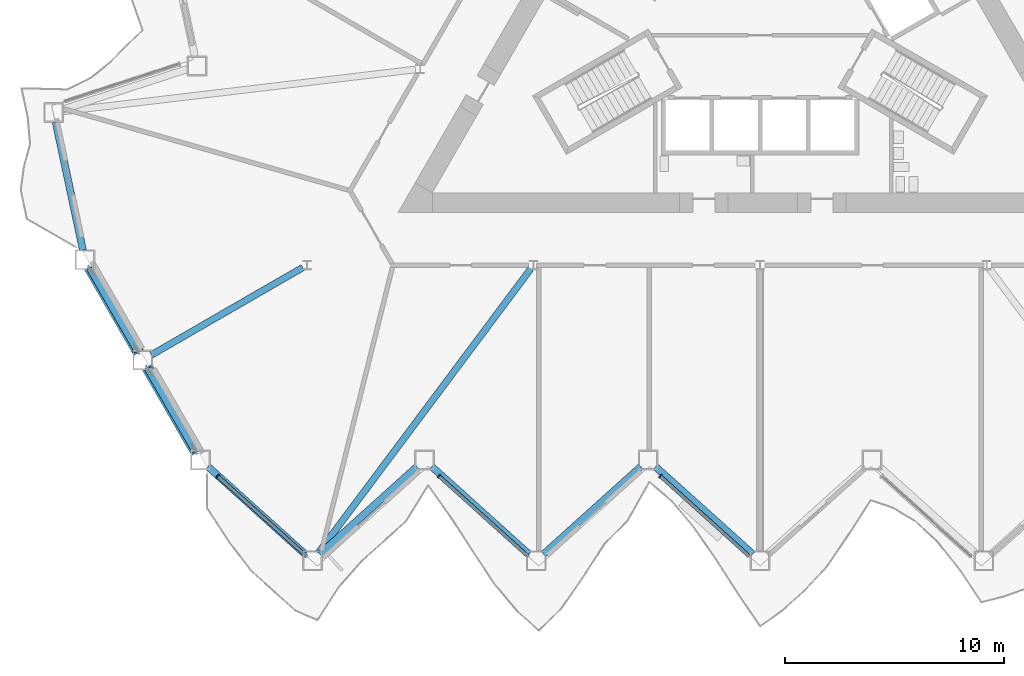
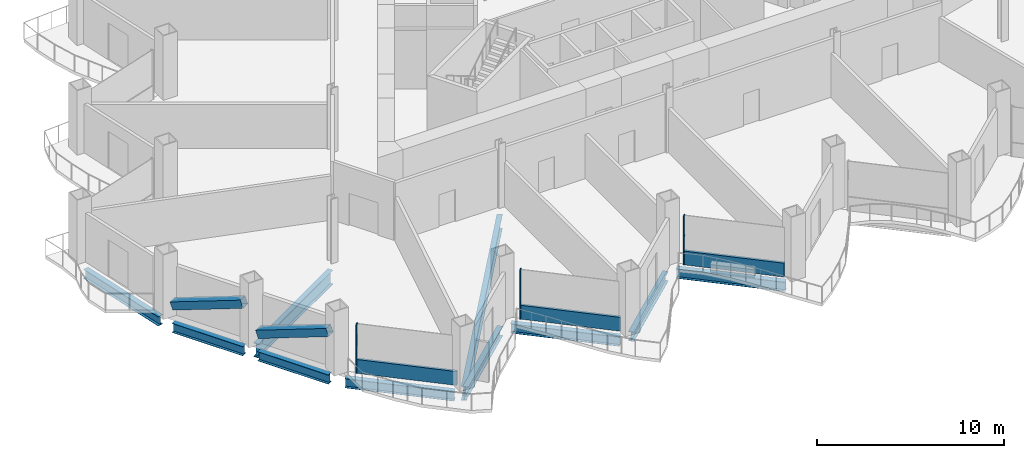
# One storey, part 3 of 21: 10 beams, 8 members, 3 elements without a shape of their own.
"""IFC4 building model written with IfcOpenShell, lengths in metres."""

from ifc_helpers import new_model, si_unit, direction, frame, origin, origin_2d, place, context, subcontext, project, spatial, rectangle, hollow_rectangle, i_section, extrude, material, layer, layer_set, material_profile, profile_set, type_object, element, aggregate, save


model = new_model("IFC4")

# Units and contexts
model_context = context("Model", 3, precision=1e-05, world=origin(), true_north=direction((0.0, 1.0)))
body_context = subcontext(model_context, "Body", "Model", "MODEL_VIEW")
ifc_project = project(units=[si_unit("LENGTHUNIT", "METRE"), si_unit("AREAUNIT", "SQUARE_METRE"), si_unit("VOLUMEUNIT", "CUBIC_METRE"), si_unit("PLANEANGLEUNIT", "RADIAN"), si_unit("MASSUNIT", "GRAM", prefix="KILO")], contexts=[model_context])

# Site, building, storey
site_placement = place(None, origin())
site = spatial("IfcSite", under=ifc_project, at=site_placement, CompositionType="ELEMENT")
building_placement = place(site_placement, origin())
building = spatial("IfcBuilding", under=site, at=building_placement, Name="Cormorant Prow Tower", CompositionType="ELEMENT")
storey_placement = place(building_placement, frame((0.0, 0.0, 133.199951171875)))
storey = spatial("IfcBuildingStorey", under=building, at=storey_placement, Name="L28", CompositionType="ELEMENT", Elevation=133.199951171875)

# Members
ifc_material_1 = material(Name="Structural steel ASTM A500 Gr C", Category="steel")
ifc_material_profile_1 = material_profile(ifc_material_1, hollow_rectangle(XDim=0.508056640625, YDim=0.508056640625, WallThickness=0.014892578125, at=origin_2d()), Name="HSS20x20x5/8")
ifc_profile_set_1 = profile_set([ifc_material_profile_1], Name="Structural steel ASTM A500 Gr C")
member_type_1 = type_object("IfcMemberType", Name="Chamfer brace HSS20x20x5/8", PredefinedType="BRACE", material=ifc_profile_set_1)
for number, where, z_axis, x_axis, name in (
    (1, (-30.535400390625, -12.0849609375, 0.776611328125), (0.467784671838, -0.810243526908, 0.35310469821), (0.866029868417, 0.499992266949, 0.0), "Chamfer brace BR1 at WSW00 L28"),
    (2, (-27.900634765625, -16.648681640625, 0.776611328125), (0.467784671838, -0.810243526908, 0.35310469821), (0.866029868417, 0.499992266949, 0.0), "Chamfer brace BR1 at WSW01 L28"),
):
    element("IfcMember", number, at=place(storey_placement, frame(where, z_axis=z_axis, x_axis=x_axis)), inside=storey, type_object=member_type_1, Name=name, PredefinedType="BRACE", context=body_context, shape_type="SweptSolid", body=[
        extrude(hollow_rectangle(XDim=0.508056640625, YDim=0.508056640625, WallThickness=0.014892578125, at=origin_2d()), origin(), (0.0, 0.0, 1.0), 4.632568359375),
    ])

# Curtain wall, member
ifc_material_2 = material(Name="Aluminium 6063-T6", Category="aluminium")
ifc_layer = layer(ifc_material_2, 0.199951171875)
ifc_layer_set = layer_set([ifc_layer], Name="Aluminium 6063-T6")
curtain_wall_type = type_object("IfcCurtainWallType", Name="Office unitised curtain wall 200", PredefinedType="NOTDEFINED", material=ifc_layer_set)
curtain_wall_1_placement = place(storey_placement, origin())
curtain_wall_1 = element("IfcCurtainWall", 3, at=curtain_wall_1_placement, inside=storey, type_object=curtain_wall_type, Name="Office curtain wall S00", PredefinedType="NOTDEFINED")
ifc_material_3 = material(Name="Aluminium 6063-T6", Category="aluminium")
ifc_material_profile_2 = material_profile(ifc_material_3, rectangle(XDim=0.199951171875, YDim=0.06005859375, at=origin_2d()), Name="Office mullion 60x200")
ifc_profile_set_2 = profile_set([ifc_material_profile_2], Name="Aluminium 6063-T6")
member_type_2 = type_object("IfcMemberType", Name="Office mullion 60x200", PredefinedType="MULLION", material=ifc_profile_set_2)
member_1_placement = place(storey_placement, frame((-24.721923828125, -21.54150390625, 0.0), z_axis=(0.0, 0.0, 1.0), x_axis=(0.669130553193, 0.743144873348, 0.0)))
member_1 = element("IfcMember", 4, at=member_1_placement, type_object=member_type_2, Name="Office mullion S00", PredefinedType="MULLION", context=body_context, shape_type="SweptSolid", body=[
    extrude(rectangle(XDim=0.199951171875, YDim=0.06005859375, at=origin_2d()), origin(), (0.0, 0.0, 1.0), 3.18896484375),
])

curtain_wall_2_placement = place(storey_placement, origin())
curtain_wall_2 = element("IfcCurtainWall", 5, at=curtain_wall_2_placement, inside=storey, type_object=curtain_wall_type, Name="Office curtain wall S02", PredefinedType="NOTDEFINED")
member_2_placement = place(storey_placement, frame((-14.63525390625, -21.54150390625, 0.0), z_axis=(0.0, 0.0, 1.0), x_axis=(0.669130626463, 0.743144807376, 0.0)))
member_2 = element("IfcMember", 6, at=member_2_placement, type_object=member_type_2, Name="Office mullion S02", PredefinedType="MULLION", context=body_context, shape_type="SweptSolid", body=[
    extrude(rectangle(XDim=0.199951171875, YDim=0.06005859375, at=origin_2d()), origin(), (0.0, 0.0, 1.0), 3.18896484375),
])

curtain_wall_3_placement = place(storey_placement, origin())
curtain_wall_3 = element("IfcCurtainWall", 7, at=curtain_wall_3_placement, inside=storey, type_object=curtain_wall_type, Name="Office curtain wall S04", PredefinedType="NOTDEFINED")
member_3_placement = place(storey_placement, frame((-4.54833984375, -21.54150390625, 0.0), z_axis=(0.0, 0.0, 1.0), x_axis=(0.669130626463, 0.743144807376, 0.0)))
member_3 = element("IfcMember", 8, at=member_3_placement, type_object=member_type_2, Name="Office mullion S04", PredefinedType="MULLION", context=body_context, shape_type="SweptSolid", body=[
    extrude(rectangle(XDim=0.199951171875, YDim=0.06005859375, at=origin_2d()), origin(), (0.0, 0.0, 1.0), 3.18896484375),
])

# Member
ifc_material_4 = material(Name="Terracotta", Category="masonry")
ifc_material_profile_3 = material_profile(ifc_material_4, rectangle(XDim=0.159912109375, YDim=0.89990234375, at=origin_2d()), Name="Office terracotta spandrel rail 160x900")
ifc_profile_set_3 = profile_set([ifc_material_profile_3], Name="Terracotta")
member_type_3 = type_object("IfcMemberType", Name="Office terracotta spandrel rail 160x900", PredefinedType="USERDEFINED", material=ifc_profile_set_3)
member_4_placement = place(storey_placement, frame((-24.69970703125, -21.561767578125, 0.449951171875), z_axis=(0.743153914206, -0.669120512165, 0.0), x_axis=(0.669120512165, 0.743153914206, 0.0)))
member_4 = element("IfcMember", 9, at=member_4_placement, type_object=member_type_3, Name="Office spandrel rail S00", ObjectType="TRANSOM", PredefinedType="USERDEFINED", context=body_context, shape_type="SweptSolid", body=[
    extrude(rectangle(XDim=0.159912109375, YDim=0.89990234375, at=origin_2d()), origin(), (0.0, 0.0, 1.0), 5.454345703125),
])

aggregate(curtain_wall_1, [member_1, member_4])

member_5_placement = place(storey_placement, frame((-14.613037109375, -21.561767578125, 0.449951171875), z_axis=(0.743173953353, -0.66909825516, 0.0), x_axis=(0.66909825516, 0.743173953353, 0.0)))
member_5 = element("IfcMember", 10, at=member_5_placement, type_object=member_type_3, Name="Office spandrel rail S02", ObjectType="TRANSOM", PredefinedType="USERDEFINED", context=body_context, shape_type="SweptSolid", body=[
    extrude(rectangle(XDim=0.159912109375, YDim=0.89990234375, at=origin_2d()), origin(), (0.0, 0.0, 1.0), 5.45458984375),
])

aggregate(curtain_wall_2, [member_2, member_5])

member_6_placement = place(storey_placement, frame((-4.526123046875, -21.561767578125, 0.449951171875), z_axis=(0.743153914206, -0.669120512165, 0.0), x_axis=(0.669120512165, 0.743153914206, 0.0)))
member_6 = element("IfcMember", 11, at=member_6_placement, type_object=member_type_3, Name="Office spandrel rail S04", ObjectType="TRANSOM", PredefinedType="USERDEFINED", context=body_context, shape_type="SweptSolid", body=[
    extrude(rectangle(XDim=0.159912109375, YDim=0.89990234375, at=origin_2d()), origin(), (0.0, 0.0, 1.0), 5.454345703125),
])

aggregate(curtain_wall_3, [member_3, member_6])

# Beams
ifc_material_5 = material(Name="Structural steel ASTM A992 Gr 50", Category="steel")
ifc_material_profile_4 = material_profile(ifc_material_5, i_section(OverallWidth=0.3046875, OverallDepth=0.914794921875, WebThickness=0.0166015625, FlangeThickness=0.02587890625, at=origin_2d()), Name="W36x160")
ifc_profile_set_4 = profile_set([ifc_material_profile_4], Name="Structural steel ASTM A992 Gr 50")
beam_type_1 = type_object("IfcBeamType", Name="Radial floor beam W36x160", PredefinedType="BEAM", material=ifc_profile_set_4)
beam_1_placement = place(storey_placement, frame((-20.84521484375, -12.034912109375, -0.857421875), z_axis=(-0.866018715534, -0.50001158421, 0.0), x_axis=(0.50001158421, -0.866018715534, 0.0)))
element("IfcBeam", 12, at=beam_1_placement, inside=storey, type_object=beam_type_1, Name="Radial floor beam FB1 5 L28", PredefinedType="BEAM", context=body_context, shape_type="SweptSolid", body=[
    extrude(i_section(OverallWidth=0.3046875, OverallDepth=0.914794921875, WebThickness=0.0166015625, FlangeThickness=0.02587890625, at=origin_2d()), origin(), (0.0, 0.0, 1.0), 7.967041015625),
])
beam_2_placement = place(storey_placement, frame((-10.458740234375, -12.100341796875, -0.857421875), z_axis=(-0.598722444929, -0.800956574315, 0.0), x_axis=(0.800956574315, -0.598722444929, 0.0)))
element("IfcBeam", 13, at=beam_2_placement, inside=storey, type_object=beam_type_1, Name="Radial floor beam FB1 6 L28", PredefinedType="BEAM", context=body_context, shape_type="SweptSolid", body=[
    extrude(i_section(OverallWidth=0.3046875, OverallDepth=0.914794921875, WebThickness=0.0166015625, FlangeThickness=0.02587890625, at=origin_2d()), origin(), (0.0, 0.0, 1.0), 16.15380859375),
])
ifc_material_6 = material(Name="Structural steel ASTM A992 Gr 50", Category="steel")
ifc_material_profile_5 = material_profile(ifc_material_6, i_section(OverallWidth=0.32373046875, OverallDepth=0.611083984375, WebThickness=0.0126953125, FlangeThickness=0.01904296875, at=origin_2d()), Name="W24x104")
ifc_profile_set_5 = profile_set([ifc_material_profile_5], Name="Structural steel ASTM A992 Gr 50")
beam_type_2 = type_object("IfcBeamType", Name="Spandrel beam W24x104", PredefinedType="SPANDREL", material=ifc_profile_set_5)
for number, where, z_axis, x_axis, name in (
    (14, (-25.165283203125, -21.108154296875, -0.70556640625), (0.743131253571, -0.66914567918, 0.0), (0.66914567918, 0.743131253571, 0.0), "Spandrel beam SB1 S00-S01 L28"),
    (15, (-20.0654296875, -25.09814453125, -0.70556640625), (0.743131253571, 0.66914567918, 0.0), (-0.66914567918, 0.743131253571, 0.0), "Spandrel beam SB1 S01-S02 L28"),
    (16, (-14.96533203125, -21.108154296875, -0.70556640625), (0.743131253571, -0.66914567918, 0.0), (0.66914567918, 0.743131253571, 0.0), "Spandrel beam SB1 S02-S03 L28"),
    (17, (-9.865478515625, -25.09814453125, -0.70556640625), (0.743131253571, 0.66914567918, 0.0), (-0.66914567918, 0.743131253571, 0.0), "Spandrel beam SB1 S03-S04 L28"),
    (18, (-4.765625, -21.108154296875, -0.70556640625), (0.743131253571, -0.66914567918, 0.0), (0.66914567918, 0.743131253571, 0.0), "Spandrel beam SB1 S04-S05 L28"),
    (19, (-32.1025390625, -5.4072265625, -0.70556640625), (0.207912620873, -0.978147403044, 0.0), (0.978147403044, 0.207912620873, 0.0), "Spandrel beam SB1 WNW09-WSW00 L28"),
):
    element("IfcBeam", number, at=place(storey_placement, frame(where, z_axis=z_axis, x_axis=x_axis)), inside=storey, type_object=beam_type_2, Name=name, PredefinedType="SPANDREL", context=body_context, shape_type="SweptSolid", body=[
        extrude(i_section(OverallWidth=0.32373046875, OverallDepth=0.611083984375, WebThickness=0.0126953125, FlangeThickness=0.01904296875, at=origin_2d()), origin(), (0.0, 0.0, 1.0), 5.962890625),
    ])
for number, where, z_axis, x_axis, name in (
    (20, (-30.54443359375, -12.069580078125, -0.70556640625), (0.500002967982, -0.866023690213, 0.0), (0.866023690213, 0.500002967982, 0.0), "Spandrel beam SB1 WSW00-WSW01 L28"),
    (21, (-27.909423828125, -16.63330078125, -0.70556640625), (0.500002967982, -0.866023690213, 0.0), (0.866023690213, 0.500002967982, 0.0), "Spandrel beam SB1 WSW01-S00 L28"),
):
    element("IfcBeam", number, at=place(storey_placement, frame(where, z_axis=z_axis, x_axis=x_axis)), inside=storey, type_object=beam_type_2, Name=name, PredefinedType="SPANDREL", context=body_context, shape_type="SweptSolid", body=[
        extrude(i_section(OverallWidth=0.32373046875, OverallDepth=0.611083984375, WebThickness=0.0126953125, FlangeThickness=0.01904296875, at=origin_2d()), origin(), (0.0, 0.0, 1.0), 4.36962890625),
    ])

save(model, "model.ifc")
